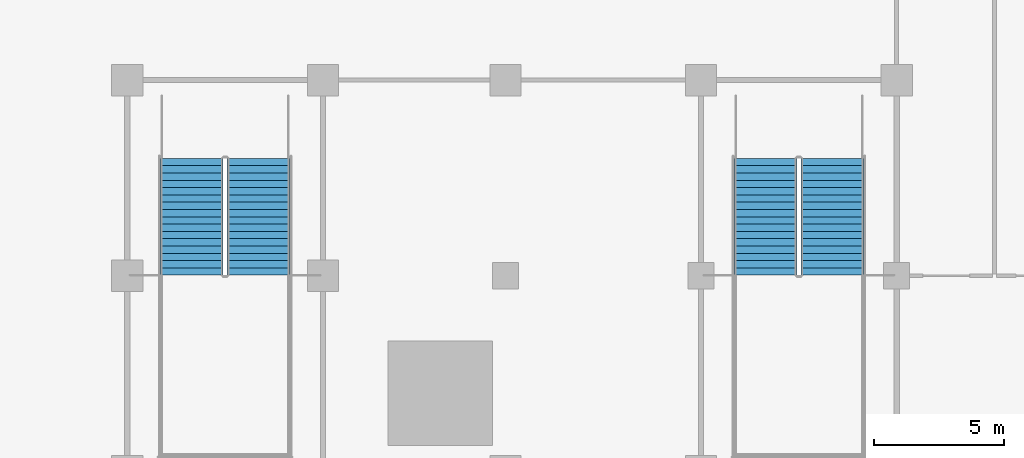
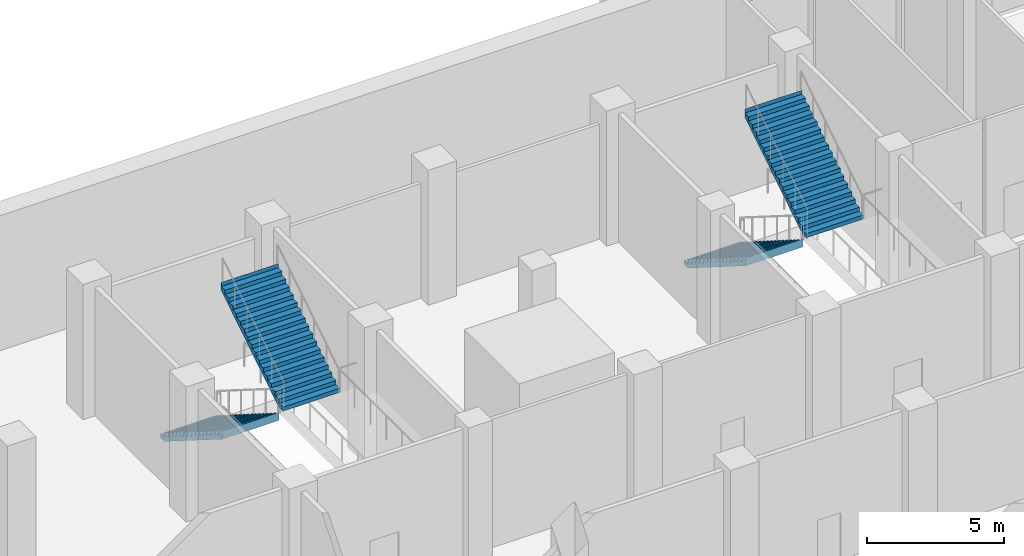
# One storey, part 23 of 45: 4 stair flights, 2 elements without a shape of their own.
"""IFC4 building model written with IfcOpenShell, lengths in metres."""

from ifc_helpers import new_model, si_unit, direction, frame, origin, place, context, subcontext, project, spatial, polyline, outline, extrude, material, type_object, element, aggregate, save


model = new_model("IFC4")

# Units and contexts
model_context = context("Model", 3, precision=1e-05, world=origin(), true_north=direction((0.0, 1.0)))
body_context = subcontext(model_context, "Body", "Model", "MODEL_VIEW")
ifc_project = project(units=[si_unit("LENGTHUNIT", "METRE"), si_unit("AREAUNIT", "SQUARE_METRE"), si_unit("VOLUMEUNIT", "CUBIC_METRE"), si_unit("PLANEANGLEUNIT", "RADIAN"), si_unit("MASSUNIT", "GRAM", prefix="KILO")], contexts=[model_context])

# Site, building, storey
site_placement = place(None, origin())
site = spatial("IfcSite", under=ifc_project, at=site_placement, CompositionType="ELEMENT")
building_placement = place(site_placement, origin())
building = spatial("IfcBuilding", under=site, at=building_placement, Name="Tamorin Gate", CompositionType="ELEMENT")
storey_placement = place(building_placement, frame((0.0, 0.0, -6.0)))
storey = spatial("IfcBuildingStorey", under=building, at=storey_placement, Name="B1", CompositionType="ELEMENT", Elevation=-6.0)

# Stair, stair flights
ifc_material = material(Name="Reinforced concrete C32/40", Category="concrete")
stair_type = type_object("IfcStairType", Name="Basement stair SB", PredefinedType="HALF_TURN_STAIR", material=ifc_material)
stair_1_placement = place(storey_placement, origin())
stair_1 = element("IfcStair", 1, at=stair_1_placement, inside=storey, type_object=stair_type, Name="B1 Basement stair SB2", PredefinedType="HALF_TURN_STAIR")
stair_flight_type = type_object("IfcStairFlightType", Name="Stair flight 2400", PredefinedType="STRAIGHT", material=ifc_material)
stair_flight_1_placement = place(storey_placement, frame((25.47509765625, 109.0, 0.0), z_axis=(0.0, 0.0, 1.0), x_axis=(0.0, -1.0, 0.0)))
stair_flight_1 = element("IfcStairFlight", 2, at=stair_flight_1_placement, type_object=stair_flight_type, Name="SB2 flight 1", NumberOfRisers=17, NumberOfTreads=16, PredefinedType="STRAIGHT", RiserHeight=0.176470588, TreadLength=0.28, context=body_context, shape_type="SweptSolid", body=[
    extrude(outline(polyline([(-0.00048828125, 0.0), (-0.00048828125, 0.001708984375), (-0.00048828125, 0.00341796875), (-0.00048828125, 0.005126953125), (-0.00048828125, 0.007080078125), (-0.00048828125, 0.0087890625), (-0.00048828125, 0.010498046875), (-0.00048828125, 0.01220703125), (-0.00048828125, 0.013916015625), (-0.00048828125, 0.015625), (-0.00048828125, 0.017578125), (-0.00048828125, 0.019287109375), (-0.00048828125, 0.02099609375), (-0.00048828125, 0.022705078125), (-0.00048828125, 0.0244140625), (-0.00048828125, 0.026123046875), (-0.00048828125, 0.028076171875), (-0.00048828125, 0.02978515625), (-0.00048828125, 0.031494140625), (-0.00048828125, 0.033203125), (-0.00048828125, 0.034912109375), (-0.00048828125, 0.03662109375), (-0.00048828125, 0.038330078125), (-0.00048828125, 0.040283203125), (-0.00048828125, 0.0419921875), (-0.00048828125, 0.043701171875), (-0.00048828125, 0.04541015625), (-0.00048828125, 0.047119140625), (-0.00048828125, 0.048828125), (-0.00048828125, 0.05078125), (-0.00048828125, 0.052490234375), (-0.00048828125, 0.05419921875), (-0.00048828125, 0.055908203125), (-0.00048828125, 0.0576171875), (-0.00048828125, 0.059326171875), (-0.00048828125, 0.06103515625), (-0.00048828125, 0.06298828125), (-0.00048828125, 0.064697265625), (-0.00048828125, 0.06640625), (-0.00048828125, 0.068115234375), (-0.00048828125, 0.06982421875), (-0.00048828125, 0.071533203125), (-0.00048828125, 0.073486328125), (-0.00048828125, 0.0751953125), (-0.00048828125, 0.076904296875), (-0.00048828125, 0.07861328125), (-0.00048828125, 0.080322265625), (-0.00048828125, 0.08203125), (-0.00048828125, 0.083984375), (-0.00048828125, 0.085693359375), (-0.00048828125, 0.08740234375), (-0.00048828125, 0.089111328125), (-0.00048828125, 0.0908203125), (-0.00048828125, 0.092529296875), (-0.00048828125, 0.09423828125), (-0.00048828125, 0.09619140625), (-0.00048828125, 0.097900390625), (-0.00048828125, 0.099609375), (-0.00048828125, 0.101318359375), (-0.00048828125, 0.10302734375), (-0.00048828125, 0.104736328125), (-0.00048828125, 0.106689453125), (-0.00048828125, 0.1083984375), (-0.00048828125, 0.110107421875), (-0.00048828125, 0.11181640625), (-0.00048828125, 0.113525390625), (-0.00048828125, 0.115234375), (-0.00048828125, 0.116943359375), (-0.00048828125, 0.118896484375), (-0.00048828125, 0.12060546875), (-0.00048828125, 0.122314453125), (-0.00048828125, 0.1240234375), (-0.00048828125, 0.125732421875), (-0.00048828125, 0.12744140625), (-0.00048828125, 0.12939453125), (-0.00048828125, 0.131103515625), (-0.00048828125, 0.1328125), (-0.00048828125, 0.134521484375), (-0.00048828125, 0.13623046875), (-0.00048828125, 0.137939453125), (-0.00048828125, 0.139892578125), (-0.00048828125, 0.1416015625), (-0.00048828125, 0.143310546875), (-0.00048828125, 0.14501953125), (-0.00048828125, 0.146728515625), (-0.00048828125, 0.1484375), (-0.00048828125, 0.150146484375), (-0.00048828125, 0.152099609375), (-0.00048828125, 0.15380859375), (-0.00048828125, 0.155517578125), (-0.00048828125, 0.1572265625), (-0.00048828125, 0.158935546875), (-0.00048828125, 0.16064453125), (-0.00048828125, 0.16259765625), (-0.00048828125, 0.164306640625), (-0.00048828125, 0.166015625), (-0.00048828125, 0.167724609375), (-0.00048828125, 0.16943359375), (-0.00048828125, 0.171142578125), (-0.00048828125, 0.173095703125), (-0.00048828125, 0.1748046875), (-0.00048828125, 0.176513671875), (0.280029296875, 0.176513671875), (0.280029296875, 0.35302734375), (0.56005859375, 0.35302734375), (0.56005859375, 0.529296875), (0.840087890625, 0.529296875), (0.840087890625, 0.705810546875), (1.1201171875, 0.705810546875), (1.1201171875, 0.88232421875), (1.39990234375, 0.88232421875), (1.39990234375, 1.058837890625), (1.679931640625, 1.058837890625), (1.679931640625, 1.2353515625), (1.9599609375, 1.2353515625), (1.9599609375, 1.411865234375), (2.239990234375, 1.411865234375), (2.239990234375, 1.588134765625), (2.52001953125, 1.588134765625), (2.52001953125, 1.7646484375), (2.800048828125, 1.7646484375), (2.800048828125, 1.941162109375), (3.080078125, 1.941162109375), (3.080078125, 2.11767578125), (3.360107421875, 2.11767578125), (3.360107421875, 2.294189453125), (3.639892578125, 2.294189453125), (3.639892578125, 2.470703125), (3.919921875, 2.470703125), (3.919921875, 2.64697265625), (4.199951171875, 2.64697265625), (4.199951171875, 2.823486328125), (4.47998046875, 2.823486328125), (4.47998046875, 3.0), (4.48046875, 3.0), (4.48046875, 2.99658203125), (4.48046875, 2.992919921875), (4.48046875, 2.989501953125), (4.48046875, 2.986083984375), (4.48046875, 2.982421875), (4.48046875, 2.97900390625), (4.48046875, 2.9755859375), (4.48046875, 2.971923828125), (4.48046875, 2.968505859375), (4.48046875, 2.965087890625), (4.48046875, 2.96142578125), (4.48046875, 2.9580078125), (4.48046875, 2.95458984375), (4.48046875, 2.950927734375), (4.48046875, 2.947509765625), (4.48046875, 2.944091796875), (4.48046875, 2.9404296875), (4.48046875, 2.93701171875), (4.48046875, 2.933349609375), (4.48046875, 2.929931640625), (4.48046875, 2.926513671875), (4.48046875, 2.9228515625), (4.48046875, 2.91943359375), (4.48046875, 2.916015625), (4.48046875, 2.912353515625), (4.48046875, 2.908935546875), (4.48046875, 2.905517578125), (4.48046875, 2.90185546875), (4.48046875, 2.8984375), (4.48046875, 2.89501953125), (4.48046875, 2.891357421875), (4.48046875, 2.887939453125), (4.48046875, 2.884521484375), (4.48046875, 2.880859375), (4.48046875, 2.87744140625), (4.48046875, 2.8740234375), (4.48046875, 2.870361328125), (4.48046875, 2.866943359375), (4.48046875, 2.863525390625), (4.48046875, 2.85986328125), (4.48046875, 2.8564453125), (4.48046875, 2.85302734375), (4.48046875, 2.849365234375), (4.48046875, 2.845947265625), (4.48046875, 2.842529296875), (4.48046875, 2.8388671875), (4.48046875, 2.83544921875), (4.48046875, 2.83203125), (4.48046875, 2.828369140625), (4.48046875, 2.824951171875), (4.48046875, 2.821533203125), (4.48046875, 2.81787109375), (4.48046875, 2.814453125), (4.48046875, 2.81103515625), (4.48046875, 2.807373046875), (4.48046875, 2.803955078125), (4.48046875, 2.80029296875), (4.48046875, 2.796875), (4.48046875, 2.79345703125), (4.48046875, 2.789794921875), (4.48046875, 2.786376953125), (4.48046875, 2.782958984375), (4.48046875, 2.779296875), (4.48046875, 2.77587890625), (4.48046875, 2.7724609375), (4.48046875, 2.768798828125), (4.48046875, 2.765380859375), (4.48046875, 2.761962890625), (4.48046875, 2.75830078125), (4.48046875, 2.7548828125), (4.48046875, 2.75146484375), (4.48046875, 2.747802734375), (4.48046875, 2.744384765625), (4.48046875, 2.740966796875), (4.48046875, 2.7373046875), (4.48046875, 2.73388671875), (4.48046875, 2.73046875), (4.48046875, 2.726806640625), (4.48046875, 2.723388671875), (4.48046875, 2.719970703125), (4.48046875, 2.71630859375), (4.48046875, 2.712890625), (4.48046875, 2.70947265625), (4.48046875, 2.705810546875), (4.48046875, 2.702392578125), (4.48046875, 2.698974609375), (4.48046875, 2.6953125), (4.48046875, 2.69189453125), (4.48046875, 2.6884765625), (4.48046875, 2.684814453125), (4.48046875, 2.681396484375), (4.48046875, 2.677734375), (4.48046875, 2.67431640625), (4.48046875, 2.6708984375), (4.48046875, 2.667236328125), (4.48046875, 2.663818359375), (4.48046875, 2.660400390625), (4.48046875, 2.65673828125), (4.48046875, 2.6533203125), (4.48046875, 2.64990234375), (4.48046875, 2.646240234375), (4.47998046875, 2.646240234375), (0.28125, 0.0), (-0.00048828125, 0.0)])), frame((0.0, 1.199951171875, 0.0), z_axis=(0.0, -1.0, 0.0), x_axis=(1.0, 0.0, 0.0)), (0.0, 0.0, 1.0), 2.39990234375),
])
stair_flight_2_placement = place(storey_placement, frame((28.02490234375, 104.52001953125, 3.0), z_axis=(0.0, 0.0, 1.0), x_axis=(0.0, 1.0, 0.0)))
stair_flight_2 = element("IfcStairFlight", 3, at=stair_flight_2_placement, type_object=stair_flight_type, Name="SB2 flight 2", NumberOfRisers=17, NumberOfTreads=16, PredefinedType="STRAIGHT", RiserHeight=0.176470588, TreadLength=0.28, context=body_context, shape_type="SweptSolid", body=[
    extrude(outline(polyline([(-0.00048828125, 0.0), (-0.00048828125, 0.001708984375), (-0.00048828125, 0.00341796875), (-0.00048828125, 0.005126953125), (-0.00048828125, 0.007080078125), (-0.00048828125, 0.0087890625), (-0.00048828125, 0.010498046875), (-0.00048828125, 0.01220703125), (-0.00048828125, 0.013916015625), (-0.00048828125, 0.015625), (-0.00048828125, 0.017578125), (-0.00048828125, 0.019287109375), (-0.00048828125, 0.02099609375), (-0.00048828125, 0.022705078125), (-0.00048828125, 0.0244140625), (-0.00048828125, 0.026123046875), (-0.00048828125, 0.028076171875), (-0.00048828125, 0.02978515625), (-0.00048828125, 0.031494140625), (-0.00048828125, 0.033203125), (-0.00048828125, 0.034912109375), (-0.00048828125, 0.03662109375), (-0.00048828125, 0.038330078125), (-0.00048828125, 0.040283203125), (-0.00048828125, 0.0419921875), (-0.00048828125, 0.043701171875), (-0.00048828125, 0.04541015625), (-0.00048828125, 0.047119140625), (-0.00048828125, 0.048828125), (-0.00048828125, 0.05078125), (-0.00048828125, 0.052490234375), (-0.00048828125, 0.05419921875), (-0.00048828125, 0.055908203125), (-0.00048828125, 0.0576171875), (-0.00048828125, 0.059326171875), (-0.00048828125, 0.06103515625), (-0.00048828125, 0.06298828125), (-0.00048828125, 0.064697265625), (-0.00048828125, 0.06640625), (-0.00048828125, 0.068115234375), (-0.00048828125, 0.06982421875), (-0.00048828125, 0.071533203125), (-0.00048828125, 0.073486328125), (-0.00048828125, 0.0751953125), (-0.00048828125, 0.076904296875), (-0.00048828125, 0.07861328125), (-0.00048828125, 0.080322265625), (-0.00048828125, 0.08203125), (-0.00048828125, 0.083984375), (-0.00048828125, 0.085693359375), (-0.00048828125, 0.08740234375), (-0.00048828125, 0.089111328125), (-0.00048828125, 0.0908203125), (-0.00048828125, 0.092529296875), (-0.00048828125, 0.09423828125), (-0.00048828125, 0.09619140625), (-0.00048828125, 0.097900390625), (-0.00048828125, 0.099609375), (-0.00048828125, 0.101318359375), (-0.00048828125, 0.10302734375), (-0.00048828125, 0.104736328125), (-0.00048828125, 0.106689453125), (-0.00048828125, 0.1083984375), (-0.00048828125, 0.110107421875), (-0.00048828125, 0.11181640625), (-0.00048828125, 0.113525390625), (-0.00048828125, 0.115234375), (-0.00048828125, 0.116943359375), (-0.00048828125, 0.118896484375), (-0.00048828125, 0.12060546875), (-0.00048828125, 0.122314453125), (-0.00048828125, 0.1240234375), (-0.00048828125, 0.125732421875), (-0.00048828125, 0.12744140625), (-0.00048828125, 0.12939453125), (-0.00048828125, 0.131103515625), (-0.00048828125, 0.1328125), (-0.00048828125, 0.134521484375), (-0.00048828125, 0.13623046875), (-0.00048828125, 0.137939453125), (-0.00048828125, 0.139892578125), (-0.00048828125, 0.1416015625), (-0.00048828125, 0.143310546875), (-0.00048828125, 0.14501953125), (-0.00048828125, 0.146728515625), (-0.00048828125, 0.1484375), (-0.00048828125, 0.150146484375), (-0.00048828125, 0.152099609375), (-0.00048828125, 0.15380859375), (-0.00048828125, 0.155517578125), (-0.00048828125, 0.1572265625), (-0.00048828125, 0.158935546875), (-0.00048828125, 0.16064453125), (-0.00048828125, 0.16259765625), (-0.00048828125, 0.164306640625), (-0.00048828125, 0.166015625), (-0.00048828125, 0.167724609375), (-0.00048828125, 0.16943359375), (-0.00048828125, 0.171142578125), (-0.00048828125, 0.173095703125), (-0.00048828125, 0.1748046875), (-0.00048828125, 0.176513671875), (0.280029296875, 0.176513671875), (0.280029296875, 0.35302734375), (0.56005859375, 0.35302734375), (0.56005859375, 0.529296875), (0.840087890625, 0.529296875), (0.840087890625, 0.705810546875), (1.1201171875, 0.705810546875), (1.1201171875, 0.88232421875), (1.39990234375, 0.88232421875), (1.39990234375, 1.058837890625), (1.679931640625, 1.058837890625), (1.679931640625, 1.2353515625), (1.9599609375, 1.2353515625), (1.9599609375, 1.411865234375), (2.239990234375, 1.411865234375), (2.239990234375, 1.588134765625), (2.52001953125, 1.588134765625), (2.52001953125, 1.7646484375), (2.800048828125, 1.7646484375), (2.800048828125, 1.941162109375), (3.080078125, 1.941162109375), (3.080078125, 2.11767578125), (3.360107421875, 2.11767578125), (3.360107421875, 2.294189453125), (3.639892578125, 2.294189453125), (3.639892578125, 2.470703125), (3.919921875, 2.470703125), (3.919921875, 2.64697265625), (4.199951171875, 2.64697265625), (4.199951171875, 2.823486328125), (4.47998046875, 2.823486328125), (4.47998046875, 3.0), (4.48046875, 3.0), (4.48046875, 2.99658203125), (4.48046875, 2.992919921875), (4.48046875, 2.989501953125), (4.48046875, 2.986083984375), (4.48046875, 2.982421875), (4.48046875, 2.97900390625), (4.48046875, 2.9755859375), (4.48046875, 2.971923828125), (4.48046875, 2.968505859375), (4.48046875, 2.965087890625), (4.48046875, 2.96142578125), (4.48046875, 2.9580078125), (4.48046875, 2.95458984375), (4.48046875, 2.950927734375), (4.48046875, 2.947509765625), (4.48046875, 2.944091796875), (4.48046875, 2.9404296875), (4.48046875, 2.93701171875), (4.48046875, 2.933349609375), (4.48046875, 2.929931640625), (4.48046875, 2.926513671875), (4.48046875, 2.9228515625), (4.48046875, 2.91943359375), (4.48046875, 2.916015625), (4.48046875, 2.912353515625), (4.48046875, 2.908935546875), (4.48046875, 2.905517578125), (4.48046875, 2.90185546875), (4.48046875, 2.8984375), (4.48046875, 2.89501953125), (4.48046875, 2.891357421875), (4.48046875, 2.887939453125), (4.48046875, 2.884521484375), (4.48046875, 2.880859375), (4.48046875, 2.87744140625), (4.48046875, 2.8740234375), (4.48046875, 2.870361328125), (4.48046875, 2.866943359375), (4.48046875, 2.863525390625), (4.48046875, 2.85986328125), (4.48046875, 2.8564453125), (4.48046875, 2.85302734375), (4.48046875, 2.849365234375), (4.48046875, 2.845947265625), (4.48046875, 2.842529296875), (4.48046875, 2.8388671875), (4.48046875, 2.83544921875), (4.48046875, 2.83203125), (4.48046875, 2.828369140625), (4.48046875, 2.824951171875), (4.48046875, 2.821533203125), (4.48046875, 2.81787109375), (4.48046875, 2.814453125), (4.48046875, 2.81103515625), (4.48046875, 2.807373046875), (4.48046875, 2.803955078125), (4.48046875, 2.80029296875), (4.48046875, 2.796875), (4.48046875, 2.79345703125), (4.48046875, 2.789794921875), (4.48046875, 2.786376953125), (4.48046875, 2.782958984375), (4.48046875, 2.779296875), (4.48046875, 2.77587890625), (4.48046875, 2.7724609375), (4.48046875, 2.768798828125), (4.48046875, 2.765380859375), (4.48046875, 2.761962890625), (4.48046875, 2.75830078125), (4.48046875, 2.7548828125), (4.48046875, 2.75146484375), (4.48046875, 2.747802734375), (4.48046875, 2.744384765625), (4.48046875, 2.740966796875), (4.48046875, 2.7373046875), (4.48046875, 2.73388671875), (4.48046875, 2.73046875), (4.48046875, 2.726806640625), (4.48046875, 2.723388671875), (4.48046875, 2.719970703125), (4.48046875, 2.71630859375), (4.48046875, 2.712890625), (4.48046875, 2.70947265625), (4.48046875, 2.705810546875), (4.48046875, 2.702392578125), (4.48046875, 2.698974609375), (4.48046875, 2.6953125), (4.48046875, 2.69189453125), (4.48046875, 2.6884765625), (4.48046875, 2.684814453125), (4.48046875, 2.681396484375), (4.48046875, 2.677734375), (4.48046875, 2.67431640625), (4.48046875, 2.6708984375), (4.48046875, 2.667236328125), (4.48046875, 2.663818359375), (4.48046875, 2.660400390625), (4.48046875, 2.65673828125), (4.48046875, 2.6533203125), (4.48046875, 2.64990234375), (4.48046875, 2.646240234375), (4.47998046875, 2.646240234375), (0.28125, 0.0), (-0.00048828125, 0.0)])), frame((0.0, 1.199951171875, 0.0), z_axis=(0.0, -1.0, 0.0), x_axis=(1.0, 0.0, 0.0)), (0.0, 0.0, 1.0), 2.39990234375),
])
aggregate(stair_1, [stair_flight_1, stair_flight_2])

stair_2_placement = place(storey_placement, origin())
stair_2 = element("IfcStair", 4, at=stair_2_placement, inside=storey, type_object=stair_type, Name="B1 Basement stair SB3", PredefinedType="HALF_TURN_STAIR")
stair_flight_3_placement = place(storey_placement, frame((47.47509765625, 109.0, 0.0), z_axis=(0.0, 0.0, 1.0), x_axis=(0.0, -1.0, 0.0)))
stair_flight_3 = element("IfcStairFlight", 5, at=stair_flight_3_placement, type_object=stair_flight_type, Name="SB3 flight 1", NumberOfRisers=17, NumberOfTreads=16, PredefinedType="STRAIGHT", RiserHeight=0.176470588, TreadLength=0.28, context=body_context, shape_type="SweptSolid", body=[
    extrude(outline(polyline([(-0.00048828125, 0.0), (-0.00048828125, 0.001708984375), (-0.00048828125, 0.00341796875), (-0.00048828125, 0.005126953125), (-0.00048828125, 0.007080078125), (-0.00048828125, 0.0087890625), (-0.00048828125, 0.010498046875), (-0.00048828125, 0.01220703125), (-0.00048828125, 0.013916015625), (-0.00048828125, 0.015625), (-0.00048828125, 0.017578125), (-0.00048828125, 0.019287109375), (-0.00048828125, 0.02099609375), (-0.00048828125, 0.022705078125), (-0.00048828125, 0.0244140625), (-0.00048828125, 0.026123046875), (-0.00048828125, 0.028076171875), (-0.00048828125, 0.02978515625), (-0.00048828125, 0.031494140625), (-0.00048828125, 0.033203125), (-0.00048828125, 0.034912109375), (-0.00048828125, 0.03662109375), (-0.00048828125, 0.038330078125), (-0.00048828125, 0.040283203125), (-0.00048828125, 0.0419921875), (-0.00048828125, 0.043701171875), (-0.00048828125, 0.04541015625), (-0.00048828125, 0.047119140625), (-0.00048828125, 0.048828125), (-0.00048828125, 0.05078125), (-0.00048828125, 0.052490234375), (-0.00048828125, 0.05419921875), (-0.00048828125, 0.055908203125), (-0.00048828125, 0.0576171875), (-0.00048828125, 0.059326171875), (-0.00048828125, 0.06103515625), (-0.00048828125, 0.06298828125), (-0.00048828125, 0.064697265625), (-0.00048828125, 0.06640625), (-0.00048828125, 0.068115234375), (-0.00048828125, 0.06982421875), (-0.00048828125, 0.071533203125), (-0.00048828125, 0.073486328125), (-0.00048828125, 0.0751953125), (-0.00048828125, 0.076904296875), (-0.00048828125, 0.07861328125), (-0.00048828125, 0.080322265625), (-0.00048828125, 0.08203125), (-0.00048828125, 0.083984375), (-0.00048828125, 0.085693359375), (-0.00048828125, 0.08740234375), (-0.00048828125, 0.089111328125), (-0.00048828125, 0.0908203125), (-0.00048828125, 0.092529296875), (-0.00048828125, 0.09423828125), (-0.00048828125, 0.09619140625), (-0.00048828125, 0.097900390625), (-0.00048828125, 0.099609375), (-0.00048828125, 0.101318359375), (-0.00048828125, 0.10302734375), (-0.00048828125, 0.104736328125), (-0.00048828125, 0.106689453125), (-0.00048828125, 0.1083984375), (-0.00048828125, 0.110107421875), (-0.00048828125, 0.11181640625), (-0.00048828125, 0.113525390625), (-0.00048828125, 0.115234375), (-0.00048828125, 0.116943359375), (-0.00048828125, 0.118896484375), (-0.00048828125, 0.12060546875), (-0.00048828125, 0.122314453125), (-0.00048828125, 0.1240234375), (-0.00048828125, 0.125732421875), (-0.00048828125, 0.12744140625), (-0.00048828125, 0.12939453125), (-0.00048828125, 0.131103515625), (-0.00048828125, 0.1328125), (-0.00048828125, 0.134521484375), (-0.00048828125, 0.13623046875), (-0.00048828125, 0.137939453125), (-0.00048828125, 0.139892578125), (-0.00048828125, 0.1416015625), (-0.00048828125, 0.143310546875), (-0.00048828125, 0.14501953125), (-0.00048828125, 0.146728515625), (-0.00048828125, 0.1484375), (-0.00048828125, 0.150146484375), (-0.00048828125, 0.152099609375), (-0.00048828125, 0.15380859375), (-0.00048828125, 0.155517578125), (-0.00048828125, 0.1572265625), (-0.00048828125, 0.158935546875), (-0.00048828125, 0.16064453125), (-0.00048828125, 0.16259765625), (-0.00048828125, 0.164306640625), (-0.00048828125, 0.166015625), (-0.00048828125, 0.167724609375), (-0.00048828125, 0.16943359375), (-0.00048828125, 0.171142578125), (-0.00048828125, 0.173095703125), (-0.00048828125, 0.1748046875), (-0.00048828125, 0.176513671875), (0.280029296875, 0.176513671875), (0.280029296875, 0.35302734375), (0.56005859375, 0.35302734375), (0.56005859375, 0.529296875), (0.840087890625, 0.529296875), (0.840087890625, 0.705810546875), (1.1201171875, 0.705810546875), (1.1201171875, 0.88232421875), (1.39990234375, 0.88232421875), (1.39990234375, 1.058837890625), (1.679931640625, 1.058837890625), (1.679931640625, 1.2353515625), (1.9599609375, 1.2353515625), (1.9599609375, 1.411865234375), (2.239990234375, 1.411865234375), (2.239990234375, 1.588134765625), (2.52001953125, 1.588134765625), (2.52001953125, 1.7646484375), (2.800048828125, 1.7646484375), (2.800048828125, 1.941162109375), (3.080078125, 1.941162109375), (3.080078125, 2.11767578125), (3.360107421875, 2.11767578125), (3.360107421875, 2.294189453125), (3.639892578125, 2.294189453125), (3.639892578125, 2.470703125), (3.919921875, 2.470703125), (3.919921875, 2.64697265625), (4.199951171875, 2.64697265625), (4.199951171875, 2.823486328125), (4.47998046875, 2.823486328125), (4.47998046875, 3.0), (4.48046875, 3.0), (4.48046875, 2.99658203125), (4.48046875, 2.992919921875), (4.48046875, 2.989501953125), (4.48046875, 2.986083984375), (4.48046875, 2.982421875), (4.48046875, 2.97900390625), (4.48046875, 2.9755859375), (4.48046875, 2.971923828125), (4.48046875, 2.968505859375), (4.48046875, 2.965087890625), (4.48046875, 2.96142578125), (4.48046875, 2.9580078125), (4.48046875, 2.95458984375), (4.48046875, 2.950927734375), (4.48046875, 2.947509765625), (4.48046875, 2.944091796875), (4.48046875, 2.9404296875), (4.48046875, 2.93701171875), (4.48046875, 2.933349609375), (4.48046875, 2.929931640625), (4.48046875, 2.926513671875), (4.48046875, 2.9228515625), (4.48046875, 2.91943359375), (4.48046875, 2.916015625), (4.48046875, 2.912353515625), (4.48046875, 2.908935546875), (4.48046875, 2.905517578125), (4.48046875, 2.90185546875), (4.48046875, 2.8984375), (4.48046875, 2.89501953125), (4.48046875, 2.891357421875), (4.48046875, 2.887939453125), (4.48046875, 2.884521484375), (4.48046875, 2.880859375), (4.48046875, 2.87744140625), (4.48046875, 2.8740234375), (4.48046875, 2.870361328125), (4.48046875, 2.866943359375), (4.48046875, 2.863525390625), (4.48046875, 2.85986328125), (4.48046875, 2.8564453125), (4.48046875, 2.85302734375), (4.48046875, 2.849365234375), (4.48046875, 2.845947265625), (4.48046875, 2.842529296875), (4.48046875, 2.8388671875), (4.48046875, 2.83544921875), (4.48046875, 2.83203125), (4.48046875, 2.828369140625), (4.48046875, 2.824951171875), (4.48046875, 2.821533203125), (4.48046875, 2.81787109375), (4.48046875, 2.814453125), (4.48046875, 2.81103515625), (4.48046875, 2.807373046875), (4.48046875, 2.803955078125), (4.48046875, 2.80029296875), (4.48046875, 2.796875), (4.48046875, 2.79345703125), (4.48046875, 2.789794921875), (4.48046875, 2.786376953125), (4.48046875, 2.782958984375), (4.48046875, 2.779296875), (4.48046875, 2.77587890625), (4.48046875, 2.7724609375), (4.48046875, 2.768798828125), (4.48046875, 2.765380859375), (4.48046875, 2.761962890625), (4.48046875, 2.75830078125), (4.48046875, 2.7548828125), (4.48046875, 2.75146484375), (4.48046875, 2.747802734375), (4.48046875, 2.744384765625), (4.48046875, 2.740966796875), (4.48046875, 2.7373046875), (4.48046875, 2.73388671875), (4.48046875, 2.73046875), (4.48046875, 2.726806640625), (4.48046875, 2.723388671875), (4.48046875, 2.719970703125), (4.48046875, 2.71630859375), (4.48046875, 2.712890625), (4.48046875, 2.70947265625), (4.48046875, 2.705810546875), (4.48046875, 2.702392578125), (4.48046875, 2.698974609375), (4.48046875, 2.6953125), (4.48046875, 2.69189453125), (4.48046875, 2.6884765625), (4.48046875, 2.684814453125), (4.48046875, 2.681396484375), (4.48046875, 2.677734375), (4.48046875, 2.67431640625), (4.48046875, 2.6708984375), (4.48046875, 2.667236328125), (4.48046875, 2.663818359375), (4.48046875, 2.660400390625), (4.48046875, 2.65673828125), (4.48046875, 2.6533203125), (4.48046875, 2.64990234375), (4.48046875, 2.646240234375), (4.47998046875, 2.646240234375), (0.28125, 0.0), (-0.00048828125, 0.0)])), frame((0.0, 1.199951171875, 0.0), z_axis=(0.0, -1.0, 0.0), x_axis=(1.0, 0.0, 0.0)), (0.0, 0.0, 1.0), 2.39990234375),
])
stair_flight_4_placement = place(storey_placement, frame((50.02490234375, 104.52001953125, 3.0), z_axis=(0.0, 0.0, 1.0), x_axis=(0.0, 1.0, 0.0)))
stair_flight_4 = element("IfcStairFlight", 6, at=stair_flight_4_placement, type_object=stair_flight_type, Name="SB3 flight 2", NumberOfRisers=17, NumberOfTreads=16, PredefinedType="STRAIGHT", RiserHeight=0.176470588, TreadLength=0.28, context=body_context, shape_type="SweptSolid", body=[
    extrude(outline(polyline([(-0.00048828125, 0.0), (-0.00048828125, 0.001708984375), (-0.00048828125, 0.00341796875), (-0.00048828125, 0.005126953125), (-0.00048828125, 0.007080078125), (-0.00048828125, 0.0087890625), (-0.00048828125, 0.010498046875), (-0.00048828125, 0.01220703125), (-0.00048828125, 0.013916015625), (-0.00048828125, 0.015625), (-0.00048828125, 0.017578125), (-0.00048828125, 0.019287109375), (-0.00048828125, 0.02099609375), (-0.00048828125, 0.022705078125), (-0.00048828125, 0.0244140625), (-0.00048828125, 0.026123046875), (-0.00048828125, 0.028076171875), (-0.00048828125, 0.02978515625), (-0.00048828125, 0.031494140625), (-0.00048828125, 0.033203125), (-0.00048828125, 0.034912109375), (-0.00048828125, 0.03662109375), (-0.00048828125, 0.038330078125), (-0.00048828125, 0.040283203125), (-0.00048828125, 0.0419921875), (-0.00048828125, 0.043701171875), (-0.00048828125, 0.04541015625), (-0.00048828125, 0.047119140625), (-0.00048828125, 0.048828125), (-0.00048828125, 0.05078125), (-0.00048828125, 0.052490234375), (-0.00048828125, 0.05419921875), (-0.00048828125, 0.055908203125), (-0.00048828125, 0.0576171875), (-0.00048828125, 0.059326171875), (-0.00048828125, 0.06103515625), (-0.00048828125, 0.06298828125), (-0.00048828125, 0.064697265625), (-0.00048828125, 0.06640625), (-0.00048828125, 0.068115234375), (-0.00048828125, 0.06982421875), (-0.00048828125, 0.071533203125), (-0.00048828125, 0.073486328125), (-0.00048828125, 0.0751953125), (-0.00048828125, 0.076904296875), (-0.00048828125, 0.07861328125), (-0.00048828125, 0.080322265625), (-0.00048828125, 0.08203125), (-0.00048828125, 0.083984375), (-0.00048828125, 0.085693359375), (-0.00048828125, 0.08740234375), (-0.00048828125, 0.089111328125), (-0.00048828125, 0.0908203125), (-0.00048828125, 0.092529296875), (-0.00048828125, 0.09423828125), (-0.00048828125, 0.09619140625), (-0.00048828125, 0.097900390625), (-0.00048828125, 0.099609375), (-0.00048828125, 0.101318359375), (-0.00048828125, 0.10302734375), (-0.00048828125, 0.104736328125), (-0.00048828125, 0.106689453125), (-0.00048828125, 0.1083984375), (-0.00048828125, 0.110107421875), (-0.00048828125, 0.11181640625), (-0.00048828125, 0.113525390625), (-0.00048828125, 0.115234375), (-0.00048828125, 0.116943359375), (-0.00048828125, 0.118896484375), (-0.00048828125, 0.12060546875), (-0.00048828125, 0.122314453125), (-0.00048828125, 0.1240234375), (-0.00048828125, 0.125732421875), (-0.00048828125, 0.12744140625), (-0.00048828125, 0.12939453125), (-0.00048828125, 0.131103515625), (-0.00048828125, 0.1328125), (-0.00048828125, 0.134521484375), (-0.00048828125, 0.13623046875), (-0.00048828125, 0.137939453125), (-0.00048828125, 0.139892578125), (-0.00048828125, 0.1416015625), (-0.00048828125, 0.143310546875), (-0.00048828125, 0.14501953125), (-0.00048828125, 0.146728515625), (-0.00048828125, 0.1484375), (-0.00048828125, 0.150146484375), (-0.00048828125, 0.152099609375), (-0.00048828125, 0.15380859375), (-0.00048828125, 0.155517578125), (-0.00048828125, 0.1572265625), (-0.00048828125, 0.158935546875), (-0.00048828125, 0.16064453125), (-0.00048828125, 0.16259765625), (-0.00048828125, 0.164306640625), (-0.00048828125, 0.166015625), (-0.00048828125, 0.167724609375), (-0.00048828125, 0.16943359375), (-0.00048828125, 0.171142578125), (-0.00048828125, 0.173095703125), (-0.00048828125, 0.1748046875), (-0.00048828125, 0.176513671875), (0.280029296875, 0.176513671875), (0.280029296875, 0.35302734375), (0.56005859375, 0.35302734375), (0.56005859375, 0.529296875), (0.840087890625, 0.529296875), (0.840087890625, 0.705810546875), (1.1201171875, 0.705810546875), (1.1201171875, 0.88232421875), (1.39990234375, 0.88232421875), (1.39990234375, 1.058837890625), (1.679931640625, 1.058837890625), (1.679931640625, 1.2353515625), (1.9599609375, 1.2353515625), (1.9599609375, 1.411865234375), (2.239990234375, 1.411865234375), (2.239990234375, 1.588134765625), (2.52001953125, 1.588134765625), (2.52001953125, 1.7646484375), (2.800048828125, 1.7646484375), (2.800048828125, 1.941162109375), (3.080078125, 1.941162109375), (3.080078125, 2.11767578125), (3.360107421875, 2.11767578125), (3.360107421875, 2.294189453125), (3.639892578125, 2.294189453125), (3.639892578125, 2.470703125), (3.919921875, 2.470703125), (3.919921875, 2.64697265625), (4.199951171875, 2.64697265625), (4.199951171875, 2.823486328125), (4.47998046875, 2.823486328125), (4.47998046875, 3.0), (4.48046875, 3.0), (4.48046875, 2.99658203125), (4.48046875, 2.992919921875), (4.48046875, 2.989501953125), (4.48046875, 2.986083984375), (4.48046875, 2.982421875), (4.48046875, 2.97900390625), (4.48046875, 2.9755859375), (4.48046875, 2.971923828125), (4.48046875, 2.968505859375), (4.48046875, 2.965087890625), (4.48046875, 2.96142578125), (4.48046875, 2.9580078125), (4.48046875, 2.95458984375), (4.48046875, 2.950927734375), (4.48046875, 2.947509765625), (4.48046875, 2.944091796875), (4.48046875, 2.9404296875), (4.48046875, 2.93701171875), (4.48046875, 2.933349609375), (4.48046875, 2.929931640625), (4.48046875, 2.926513671875), (4.48046875, 2.9228515625), (4.48046875, 2.91943359375), (4.48046875, 2.916015625), (4.48046875, 2.912353515625), (4.48046875, 2.908935546875), (4.48046875, 2.905517578125), (4.48046875, 2.90185546875), (4.48046875, 2.8984375), (4.48046875, 2.89501953125), (4.48046875, 2.891357421875), (4.48046875, 2.887939453125), (4.48046875, 2.884521484375), (4.48046875, 2.880859375), (4.48046875, 2.87744140625), (4.48046875, 2.8740234375), (4.48046875, 2.870361328125), (4.48046875, 2.866943359375), (4.48046875, 2.863525390625), (4.48046875, 2.85986328125), (4.48046875, 2.8564453125), (4.48046875, 2.85302734375), (4.48046875, 2.849365234375), (4.48046875, 2.845947265625), (4.48046875, 2.842529296875), (4.48046875, 2.8388671875), (4.48046875, 2.83544921875), (4.48046875, 2.83203125), (4.48046875, 2.828369140625), (4.48046875, 2.824951171875), (4.48046875, 2.821533203125), (4.48046875, 2.81787109375), (4.48046875, 2.814453125), (4.48046875, 2.81103515625), (4.48046875, 2.807373046875), (4.48046875, 2.803955078125), (4.48046875, 2.80029296875), (4.48046875, 2.796875), (4.48046875, 2.79345703125), (4.48046875, 2.789794921875), (4.48046875, 2.786376953125), (4.48046875, 2.782958984375), (4.48046875, 2.779296875), (4.48046875, 2.77587890625), (4.48046875, 2.7724609375), (4.48046875, 2.768798828125), (4.48046875, 2.765380859375), (4.48046875, 2.761962890625), (4.48046875, 2.75830078125), (4.48046875, 2.7548828125), (4.48046875, 2.75146484375), (4.48046875, 2.747802734375), (4.48046875, 2.744384765625), (4.48046875, 2.740966796875), (4.48046875, 2.7373046875), (4.48046875, 2.73388671875), (4.48046875, 2.73046875), (4.48046875, 2.726806640625), (4.48046875, 2.723388671875), (4.48046875, 2.719970703125), (4.48046875, 2.71630859375), (4.48046875, 2.712890625), (4.48046875, 2.70947265625), (4.48046875, 2.705810546875), (4.48046875, 2.702392578125), (4.48046875, 2.698974609375), (4.48046875, 2.6953125), (4.48046875, 2.69189453125), (4.48046875, 2.6884765625), (4.48046875, 2.684814453125), (4.48046875, 2.681396484375), (4.48046875, 2.677734375), (4.48046875, 2.67431640625), (4.48046875, 2.6708984375), (4.48046875, 2.667236328125), (4.48046875, 2.663818359375), (4.48046875, 2.660400390625), (4.48046875, 2.65673828125), (4.48046875, 2.6533203125), (4.48046875, 2.64990234375), (4.48046875, 2.646240234375), (4.47998046875, 2.646240234375), (0.28125, 0.0), (-0.00048828125, 0.0)])), frame((0.0, 1.199951171875, 0.0), z_axis=(0.0, -1.0, 0.0), x_axis=(1.0, 0.0, 0.0)), (0.0, 0.0, 1.0), 2.39990234375),
])
aggregate(stair_2, [stair_flight_3, stair_flight_4])

save(model, "model.ifc")
